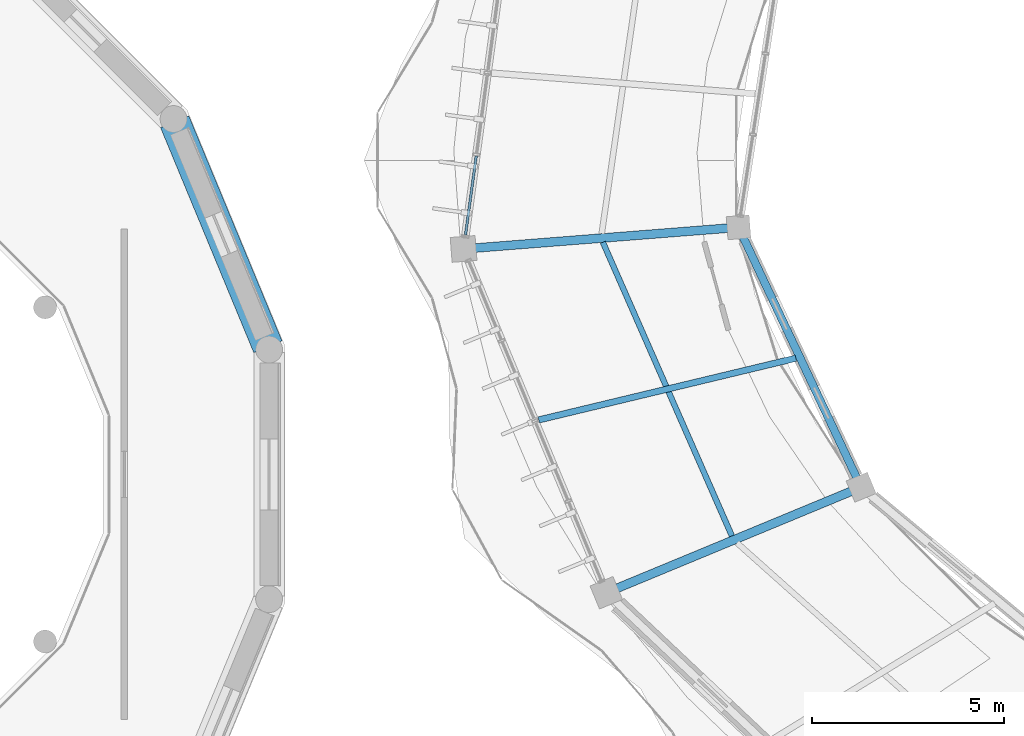
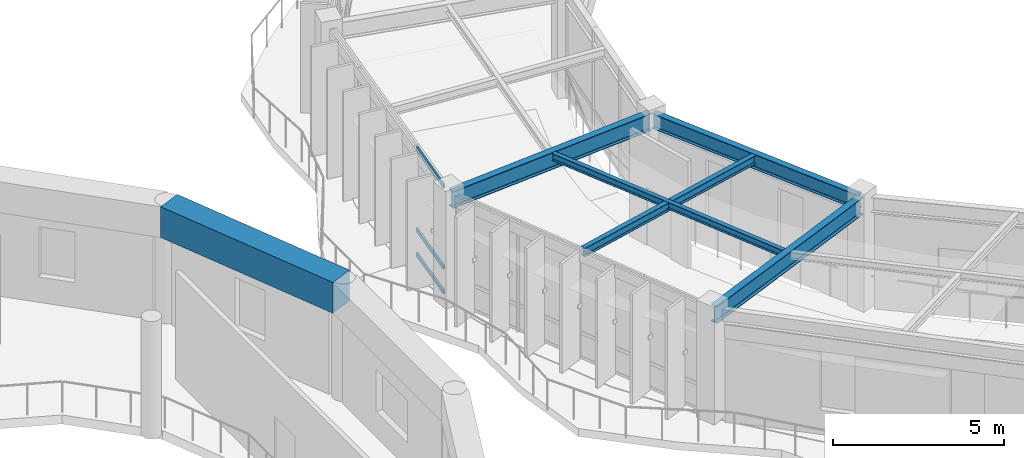
# One storey, part 34 of 114: 6 beams, 3 members, 1 element without a shape of its own.
"""IFC4 building model written with IfcOpenShell, lengths in metres."""

from ifc_helpers import new_model, si_unit, direction, frame, origin, origin_2d, place, context, subcontext, project, spatial, rectangle, hollow_rectangle, i_section, extrude, material, material_profile, profile_set, type_object, element, aggregate, save


model = new_model("IFC4")

# Units and contexts
model_context = context("Model", 3, precision=1e-05, world=origin(), true_north=direction((0.0, 1.0)))
body_context = subcontext(model_context, "Body", "Model", "MODEL_VIEW")
ifc_project = project(units=[si_unit("LENGTHUNIT", "METRE"), si_unit("AREAUNIT", "SQUARE_METRE"), si_unit("VOLUMEUNIT", "CUBIC_METRE"), si_unit("PLANEANGLEUNIT", "RADIAN"), si_unit("MASSUNIT", "GRAM", prefix="KILO"), si_unit("THERMODYNAMICTEMPERATUREUNIT", "KELVIN"), si_unit("POWERUNIT", "WATT")], contexts=[model_context])

# Site, building, storey
site_placement = place(None, origin())
site = spatial("IfcSite", under=ifc_project, at=site_placement, CompositionType="ELEMENT")
building_placement = place(site_placement, origin())
building = spatial("IfcBuilding", under=site, at=building_placement, Name="Darbajah Civic Hall", CompositionType="ELEMENT")
storey_placement = place(building_placement, frame((0.0, 0.0, 13.800048828125)))
storey = spatial("IfcBuildingStorey", under=building, at=storey_placement, Name="L03", CompositionType="ELEMENT", Elevation=13.800048828125)

# Curtain wall, members
ifc_material_1 = material(Name="Anodised Bronze Aluminium and Low-E Glazing", Category="aluminium")
curtain_wall_type = type_object("IfcCurtainWallType", Name="Unitised Curtain Wall CW-45 8600x3900", PredefinedType="USERDEFINED", material=ifc_material_1)
curtain_wall_placement = place(storey_placement, origin())
curtain_wall = element("IfcCurtainWall", 1, at=curtain_wall_placement, inside=storey, type_object=curtain_wall_type, Name="L03 unitised curtain wall CW-V1O-L03-09", ObjectType="UNITISED CURTAIN WALL", PredefinedType="USERDEFINED")
ifc_material_2 = material(Name="Anodised Bronze Aluminium", Category="aluminium")
ifc_material_profile_1 = material_profile(ifc_material_2, hollow_rectangle(XDim=0.06494140625, YDim=0.139892578125, WallThickness=0.00341796875, at=origin_2d()), Name="ALU TRANSOM 65x140")
ifc_profile_set_1 = profile_set([ifc_material_profile_1], Name="Anodised Bronze Aluminium")
member_type = type_object("IfcMemberType", Name="ALU TRANSOM 65x140", PredefinedType="USERDEFINED", material=ifc_profile_set_1)
member_1_placement = place(storey_placement, frame((38.587158203125, 89.91064453125, 0.070068359375), z_axis=(-0.134788914792, -0.990874335347, 0.0), x_axis=(0.990874335347, -0.134788914792, 0.0)))
member_1 = element("IfcMember", 2, at=member_1_placement, type_object=member_type, Name="CW-V1O-L03-09 transom 4.1", ObjectType="TRANSOM", PredefinedType="USERDEFINED", context=body_context, shape_type="SweptSolid", body=[
    extrude(hollow_rectangle(XDim=0.06494140625, YDim=0.139892578125, WallThickness=0.00341796875, at=origin_2d()), origin(), (0.0, 0.0, 1.0), 2.0830078125),
])
member_2_placement = place(storey_placement, frame((38.587158203125, 89.91064453125, 0.949951171875), z_axis=(-0.134788914792, -0.990874335347, 0.0), x_axis=(0.990874335347, -0.134788914792, 0.0)))
member_2 = element("IfcMember", 3, at=member_2_placement, type_object=member_type, Name="CW-V1O-L03-09 transom 4.2", ObjectType="TRANSOM", PredefinedType="USERDEFINED", context=body_context, shape_type="SweptSolid", body=[
    extrude(hollow_rectangle(XDim=0.06494140625, YDim=0.139892578125, WallThickness=0.00341796875, at=origin_2d()), origin(), (0.0, 0.0, 1.0), 2.0830078125),
])
member_3_placement = place(storey_placement, frame((38.587158203125, 89.91064453125, 3.849853515625), z_axis=(-0.134788914792, -0.990874335347, 0.0), x_axis=(0.990874335347, -0.134788914792, 0.0)))
member_3 = element("IfcMember", 4, at=member_3_placement, type_object=member_type, Name="CW-V1O-L03-09 transom 4.3", ObjectType="TRANSOM", PredefinedType="USERDEFINED", context=body_context, shape_type="SweptSolid", body=[
    extrude(hollow_rectangle(XDim=0.06494140625, YDim=0.139892578125, WallThickness=0.00341796875, at=origin_2d()), origin(), (0.0, 0.0, 1.0), 2.0830078125),
])
aggregate(curtain_wall, [member_1, member_2, member_3])

# Beams
ifc_material_3 = material(Name="Concrete C50/60", Category="concrete")
ifc_material_profile_2 = material_profile(ifc_material_3, rectangle(XDim=0.800048828125, YDim=1.10009765625, at=origin_2d()), Name="RC RING 800x1100")
ifc_profile_set_2 = profile_set([ifc_material_profile_2], Name="Concrete C50/60")
beam_type_1 = type_object("IfcBeamType", Name="RC RING 800x1100", PredefinedType="BEAM", material=ifc_profile_set_2)
beam_1_placement = place(storey_placement, frame((33.1494140625, 84.93212890625, 3.64990234375), z_axis=(-0.382700052583, 0.923872648016, 0.0), x_axis=(-0.923872648016, -0.382700052583, 0.0)))
element("IfcBeam", 5, at=beam_1_placement, inside=storey, type_object=beam_type_1, Name="Dome Base Ring Beam segment 1", PredefinedType="BEAM", context=body_context, shape_type="SweptSolid", body=[
    extrude(rectangle(XDim=0.800048828125, YDim=1.10009765625, at=origin_2d()), origin(), (0.0, 0.0, 1.0), 6.3564453125),
])
ifc_material_4 = material(Name="Steel S355JR", Category="steel")
ifc_material_profile_3 = material_profile(ifc_material_4, i_section(OverallWidth=0.146484375, OverallDepth=0.256103515625, WebThickness=0.00634765625, FlangeThickness=0.010986328125, FilletRadius=0.007568359375, at=origin_2d()), Name="UB 254x146x37")
ifc_profile_set_3 = profile_set([ifc_material_profile_3], Name="Steel S355JR")
beam_type_2 = type_object("IfcBeamType", Name="UB 254x146x37", PredefinedType="JOIST", material=ifc_profile_set_3)
beam_2_placement = place(storey_placement, frame((41.892822265625, 87.66162109375, 3.7919921875), z_axis=(0.402255928137, -0.915527262444, 0.0), x_axis=(0.915527262444, 0.402255928137, 0.0)))
element("IfcBeam", 6, at=beam_2_placement, inside=storey, type_object=beam_type_2, Name="L03 beam SJ-254", PredefinedType="JOIST", context=body_context, shape_type="SweptSolid", body=[
    extrude(i_section(OverallWidth=0.146484375, OverallDepth=0.256103515625, WebThickness=0.00634765625, FlangeThickness=0.010986328125, FilletRadius=0.007568359375, at=origin_2d()), origin(), (0.0, 0.0, 1.0), 8.37451171875),
])
ifc_material_profile_4 = material_profile(ifc_material_4, i_section(OverallWidth=0.165771484375, OverallDepth=0.306640625, WebThickness=0.006591796875, FlangeThickness=0.01171875, FilletRadius=0.0087890625, at=origin_2d()), Name="UB 305x165x46")
ifc_profile_set_4 = profile_set([ifc_material_profile_4], Name="Steel S355JR")
beam_type_3 = type_object("IfcBeamType", Name="UB 305x165x46", PredefinedType="JOIST", material=ifc_profile_set_4)
beam_3_placement = place(storey_placement, frame((46.931396484375, 84.633544921875, 3.7666015625), z_axis=(-0.972369643286, -0.233446518106, 0.0), x_axis=(0.233446518106, -0.972369643286, 0.0)))
element("IfcBeam", 7, at=beam_3_placement, inside=storey, type_object=beam_type_3, Name="L03 beam SJ-305", PredefinedType="JOIST", context=body_context, shape_type="SweptSolid", body=[
    extrude(i_section(OverallWidth=0.165771484375, OverallDepth=0.306640625, WebThickness=0.006591796875, FlangeThickness=0.01171875, FilletRadius=0.0087890625, at=origin_2d()), origin(), (0.0, 0.0, 1.0), 6.9033203125),
])
ifc_material_profile_5 = material_profile(ifc_material_4, i_section(OverallWidth=0.209228515625, OverallDepth=0.533203125, WebThickness=0.010009765625, FlangeThickness=0.015625, FilletRadius=0.0126953125, at=origin_2d()), Name="UB 533x210x92")
ifc_profile_set_5 = profile_set([ifc_material_profile_5], Name="Steel S355JR")
beam_type_4 = type_object("IfcBeamType", Name="UB 533x210x92", PredefinedType="BEAM", material=ifc_profile_set_5)
beam_4_placement = place(storey_placement, frame((45.468994140625, 87.97802734375, 3.653564453125), z_axis=(0.426541677675, -0.904467908334, 0.0), x_axis=(0.904467908334, 0.426541677675, 0.0)))
element("IfcBeam", 8, at=beam_4_placement, inside=storey, type_object=beam_type_4, Name="L03 beam SB-533", PredefinedType="BEAM", context=body_context, shape_type="SweptSolid", body=[
    extrude(i_section(OverallWidth=0.209228515625, OverallDepth=0.533203125, WebThickness=0.010009765625, FlangeThickness=0.015625, FilletRadius=0.0126953125, at=origin_2d()), origin(), (0.0, 0.0, 1.0), 7.340576171875),
])
ifc_material_profile_6 = material_profile(ifc_material_4, i_section(OverallWidth=0.228271484375, OverallDepth=0.607666015625, WebThickness=0.010986328125, FlangeThickness=0.017333984375, FilletRadius=0.0126953125, at=origin_2d()), Name="UB 610x229x113")
ifc_profile_set_6 = profile_set([ifc_material_profile_6], Name="Steel S355JR")
beam_type_5 = type_object("IfcBeamType", Name="UB 610x229x113", PredefinedType="BEAM", material=ifc_profile_set_6)
beam_5_placement = place(storey_placement, frame((45.355224609375, 88.044189453125, 3.6162109375), z_axis=(-0.996915809033, -0.078478466478, 0.0), x_axis=(0.078478466478, -0.996915809033, 0.0)))
element("IfcBeam", 9, at=beam_5_placement, inside=storey, type_object=beam_type_5, Name="L03 beam SB-610", PredefinedType="BEAM", context=body_context, shape_type="SweptSolid", body=[
    extrude(i_section(OverallWidth=0.228271484375, OverallDepth=0.607666015625, WebThickness=0.010986328125, FlangeThickness=0.017333984375, FilletRadius=0.0126953125, at=origin_2d()), origin(), (0.0, 0.0, 1.0), 7.0400390625),
])
beam_6_placement = place(storey_placement, frame((48.560302734375, 81.235595703125, 3.6162109375), z_axis=(-0.923885389571, -0.382669291867, 0.0), x_axis=(0.382669291867, -0.923885389571, 0.0)))
element("IfcBeam", 10, at=beam_6_placement, inside=storey, type_object=beam_type_5, Name="L03 beam SB-610", PredefinedType="BEAM", context=body_context, shape_type="SweptSolid", body=[
    extrude(i_section(OverallWidth=0.228271484375, OverallDepth=0.607666015625, WebThickness=0.010986328125, FlangeThickness=0.017333984375, FilletRadius=0.0126953125, at=origin_2d()), origin(), (0.0, 0.0, 1.0), 7.040283203125),
])

save(model, "model.ifc")
